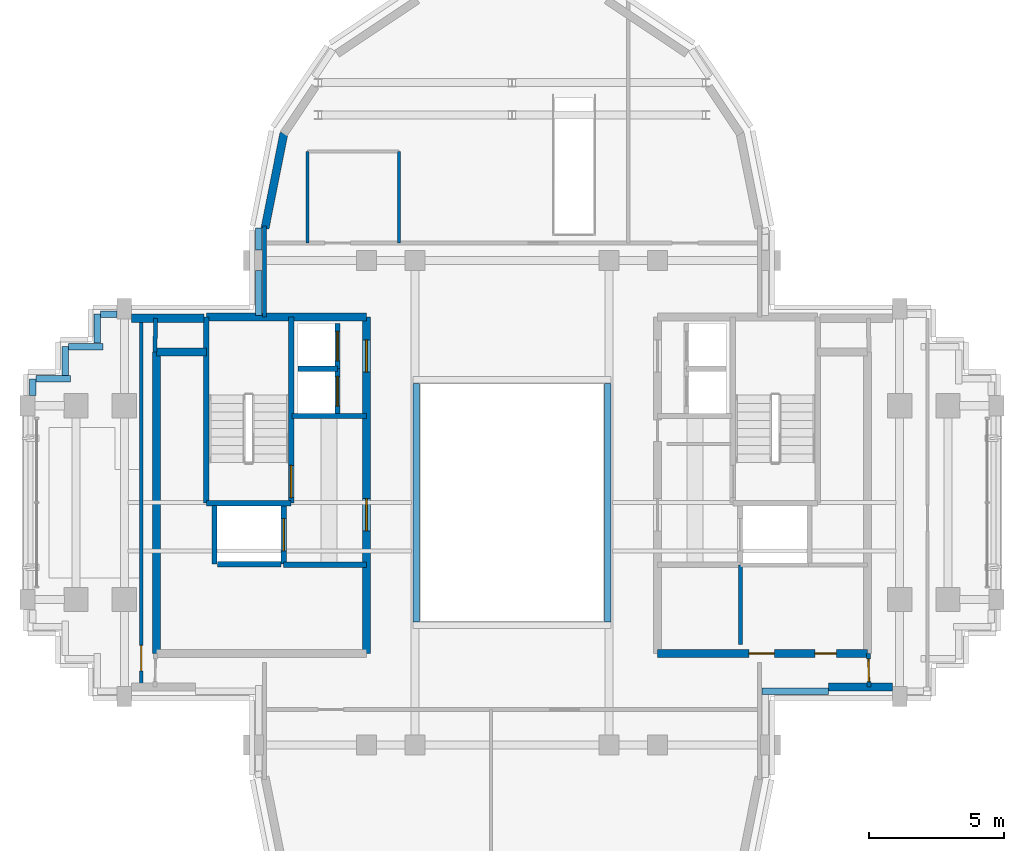
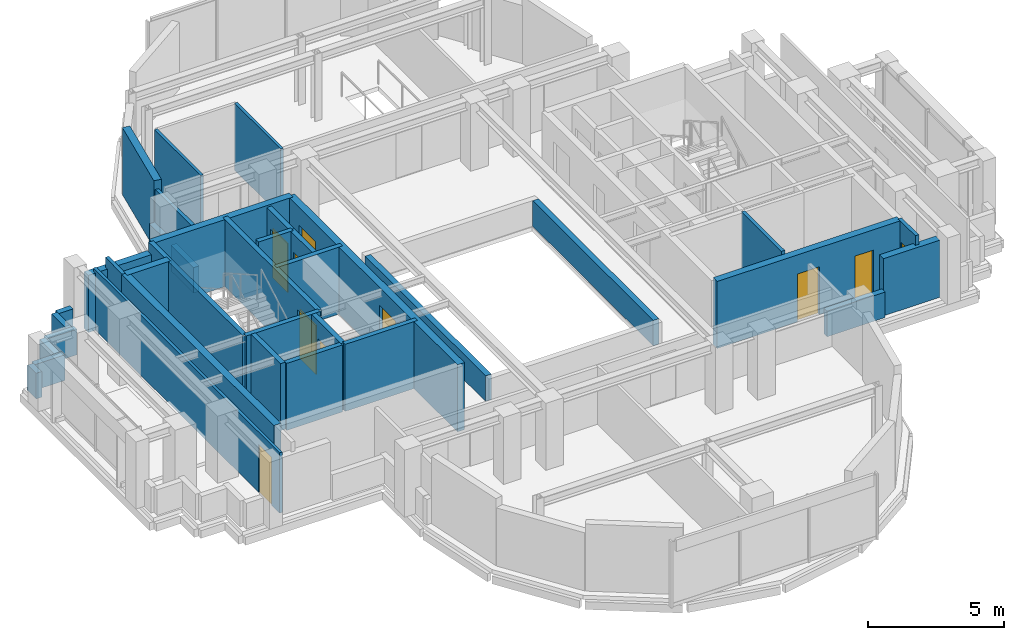
# One storey, part 8 of 12: 37 walls, 10 doors, 10 openings.
"""IFC4 building model written with IfcOpenShell, lengths in metres."""

from ifc_helpers import new_model, si_unit, direction, frame, frame_2d, origin, place, context, subcontext, project, spatial, rectangle, extrude, source, transform, mapped, material, layer, layer_set, type_object, element, fill, save


model = new_model("IFC4")

# Units and contexts
model_context = context("Model", 3, precision=1e-05, world=origin(), true_north=direction((0.0, 1.0)))
body_context = subcontext(model_context, "Body", "Model", "MODEL_VIEW")
ifc_project = project(units=[si_unit("LENGTHUNIT", "METRE"), si_unit("AREAUNIT", "SQUARE_METRE"), si_unit("VOLUMEUNIT", "CUBIC_METRE"), si_unit("PLANEANGLEUNIT", "RADIAN"), si_unit("MASSUNIT", "GRAM", prefix="KILO")], contexts=[model_context])

# Site, building, storey
site_placement = place(None, origin())
site = spatial("IfcSite", under=ifc_project, at=site_placement, CompositionType="ELEMENT")
building_placement = place(site_placement, origin())
building = spatial("IfcBuilding", under=site, at=building_placement, Name="Keilestroom Media Tower", CompositionType="ELEMENT")
storey_placement = place(building_placement, frame((0.0, 0.0, 233.199951171875)))
storey = spatial("IfcBuildingStorey", under=building, at=storey_placement, Name="L64", CompositionType="ELEMENT", Elevation=233.199951171875)

# Walls
ifc_material_1 = material(Name="Precast concrete C40/50", Category="concrete")
ifc_layer_1 = layer(ifc_material_1, 0.300048828125)
ifc_layer_set_1 = layer_set([ifc_layer_1], Name="Precast concrete C40/50")
wall_type_1 = type_object("IfcWallType", Name="Exterior-Masonry-Spandrel-Wall-300", PredefinedType="SOLIDWALL", material=ifc_layer_set_1)
wall_1_placement = place(storey_placement, frame((-14.133056640625, 6.85009765625, 0.0), z_axis=(0.0, 0.0, 1.0), x_axis=(1.0, 0.0, 0.0)))
element("IfcWall", 1, at=wall_1_placement, inside=storey, type_object=wall_type_1, Name="L64 Flank Masonry Wall EWL-L64-NW-1", PredefinedType="SOLIDWALL", context=body_context, shape_type="SweptSolid", body=[
    extrude(rectangle(XDim=2.68505859375, YDim=0.300048828125, at=frame_2d((1.342529296875, 0.0))), origin(), (0.0, 0.0, 1.0), 2.570068359375),
])
wall_2_placement = place(storey_placement, frame((11.75, -6.85009765625, 0.0), z_axis=(0.0, 0.0, 1.0), x_axis=(1.0, 0.0, 0.0)))
element("IfcWall", 2, at=wall_2_placement, inside=storey, type_object=wall_type_1, Name="L64 Flank Masonry Wall EWL-L64-SE-1", PredefinedType="SOLIDWALL", context=body_context, shape_type="SweptSolid", body=[
    extrude(rectangle(XDim=2.383056640625, YDim=0.300048828125, at=frame_2d((1.19140625, 0.0))), origin(), (0.0, 0.0, 1.0), 2.570068359375),
])
wall_3_placement = place(storey_placement, frame((-8.470703125, 13.724609375, 0.0), z_axis=(0.0, 0.0, 1.0), x_axis=(-0.195114232679, -0.980780523974, 0.0)))
element("IfcWall", 3, at=wall_3_placement, inside=storey, type_object=wall_type_1, Name="L64 Lobe Facet Precast Frame Wall 06", PredefinedType="SOLIDWALL", context=body_context, shape_type="SweptSolid", body=[
    extrude(rectangle(XDim=3.608642578125, YDim=0.300048828125, at=frame_2d((1.80419921875, 0.0))), origin(), (0.0, 0.0, 1.0), 3.010009765625),
])
ifc_material_2 = material(Name="Gypsum Plasterboard & Steel Stud", Category="steel")
ifc_layer_2 = layer(ifc_material_2, 0.1201171875)
ifc_layer_set_2 = layer_set([ifc_layer_2], Name="Gypsum Plasterboard & Steel Stud")
wall_type_2 = type_object("IfcWallType", Name="Interior-Partition-Wall-120", PredefinedType="PARTITIONING", material=ifc_layer_set_2)
for number, where, z_axis, x_axis, name in (
    (4, (-7.60009765625, 9.639892578125, 0.0), (0.0, 0.0, 1.0), (0.0, 1.0, 0.0), "L64 Interior Wall WP-L64-NL-WC-W"),
    (5, (-4.199951171875, 9.639892578125, 0.0), (0.0, 0.0, 1.0), (0.0, 1.0, 0.0), "L64 Interior Wall WP-L64-NL-WC-E"),
):
    element("IfcWall", number, at=place(storey_placement, frame(where, z_axis=z_axis, x_axis=x_axis)), inside=storey, type_object=wall_type_2, Name=name, PredefinedType="PARTITIONING", context=body_context, shape_type="SweptSolid", body=[
        extrude(rectangle(XDim=3.400146484375, YDim=0.1201171875, at=frame_2d((1.7001953125, 0.0))), origin(), (0.0, 0.0, 1.0), 3.010009765625),
    ])

# Wall, opening, door
wall_4_placement = place(storey_placement, frame((-13.77001953125, -6.85009765625, 0.0), z_axis=(0.0, 0.0, 1.0), x_axis=(0.0, 1.0, 0.0)))
wall_4 = element("IfcWall", 6, at=wall_4_placement, inside=storey, type_object=wall_type_2, Name="L64 Interior Wall WP-L64-WA-CE", PredefinedType="PARTITIONING", context=body_context, shape_type="SweptSolid", body=[
    extrude(rectangle(XDim=13.7001953125, YDim=0.1201171875, at=frame_2d((6.85009765625, 0.0))), origin(), (0.0, 0.0, 1.0), 2.7099609375),
])
opening_1_placement = place(wall_4_placement, frame((0.60009765625, 0.0, 0.0)))
opening_1 = element("IfcOpeningElement", 7, at=opening_1_placement, cuts=wall_4, Name="Opening DI-03", PredefinedType="OPENING", context=body_context, shape_type="SweptSolid", body=[
    extrude(rectangle(XDim=0.949951171875, YDim=2.14990234375, at=frame_2d((0.47509765625, 1.074951171875))), frame((0.0, 0.070068359375, 0.0), z_axis=(0.0, -1.0, 0.0), x_axis=(1.0, 0.0, 0.0)), (0.0, 0.0, 1.0), 0.14013671875),
])
ifc_material_3 = material(Name="Lacquered European Oak Leaf", Category="wood")
door_type_1 = type_object("IfcDoorType", Name="Interior-Room-And-Suite-Door-DI-03", OperationType="NOTDEFINED", PredefinedType="DOOR", material=ifc_material_3)
shared_shape_1 = source(origin(), body_context, "Body", "SweptSolid", [
    extrude(rectangle(XDim=0.949951171875, YDim=2.14990234375, at=frame_2d((0.47509765625, 1.074951171875))), frame((0.0, 0.02490234375, 0.0), z_axis=(0.0, -1.0, 0.0), x_axis=(1.0, 0.0, 0.0)), (0.0, 0.0, 1.0), 0.050048828125),
])
door_1_placement = place(opening_1_placement, origin())
door_1 = element("IfcDoor", 8, at=door_1_placement, inside=storey, type_object=door_type_1, Name="L64 Interior Door DI-L64-DWA-END", OperationType="SINGLE_SWING_LEFT", OverallHeight=2.14990234375, OverallWidth=0.949951171875, PredefinedType="DOOR", context=body_context, shape_type="MappedRepresentation", body=[
    mapped(shared_shape_1, transform((0.0, 0.0, 0.0), x_axis=(1.0, 0.0, 0.0), y_axis=(0.0, 1.0, 0.0), z_axis=(0.0, 0.0, 1.0), scale=1.0)),
])
fill(opening_1, door_1)

# Walls
ifc_layer_3 = layer(ifc_material_2, 0.14990234375)
ifc_layer_set_3 = layer_set([ifc_layer_3], Name="Gypsum Plasterboard & Steel Stud")
wall_type_3 = type_object("IfcWallType", Name="Interior-Partition-Wall-150", PredefinedType="PARTITIONING", material=ifc_layer_set_3)
wall_5_placement = place(storey_placement, frame((8.47998046875, -5.260009765625, 0.0), z_axis=(0.0, 0.0, 1.0), x_axis=(0.0, 1.0, 0.0)))
element("IfcWall", 9, at=wall_5_placement, inside=storey, type_object=wall_type_3, Name="L64 Interior Wall WP-L64-RECME-W", PredefinedType="PARTITIONING", context=body_context, shape_type="SweptSolid", body=[
    extrude(rectangle(XDim=2.93994140625, YDim=0.14990234375, at=frame_2d((1.469970703125, 0.0))), origin(), (0.0, 0.0, 1.0), 3.010009765625),
])
wall_6_placement = place(storey_placement, frame((-9.199951171875, 6.89990234375, 0.0), z_axis=(0.0, 0.0, 1.0), x_axis=(0.0, 1.0, 0.0)))
element("IfcWall", 10, at=wall_6_placement, inside=storey, type_object=wall_type_3, Name="L64 Interior Wall WP-L64-NL-CHKW", PredefinedType="PARTITIONING", context=body_context, shape_type="SweptSolid", body=[
    extrude(rectangle(XDim=3.380126953125, YDim=0.14990234375, at=frame_2d((1.68994140625, 0.0))), origin(), (0.0, 0.0, 1.0), 2.610107421875),
])
wall_7_placement = place(storey_placement, frame((-13.260009765625, 5.60009765625, 0.0), z_axis=(0.0, 0.0, 1.0), x_axis=(0.016013571389, 0.999871774545, 0.0)))
element("IfcWall", 11, at=wall_7_placement, inside=storey, type_object=wall_type_3, Name="L64 Interior Wall WP-L64-WA-ENTN", PredefinedType="PARTITIONING", context=body_context, shape_type="SweptSolid", body=[
    extrude(rectangle(XDim=1.250244140625, YDim=0.14990234375, at=frame_2d((0.625, 0.0))), origin(), (0.0, 0.0, 1.0), 3.010009765625),
])

# Wall, opening, door
wall_8_placement = place(storey_placement, frame((13.260009765625, -6.85009765625, 0.0), z_axis=(0.0, 0.0, 1.0), x_axis=(-0.016013571389, 0.999871774545, 0.0)))
wall_8 = element("IfcWall", 12, at=wall_8_placement, inside=storey, type_object=wall_type_3, Name="L64 Interior Wall WP-L64-EA-ENTS", PredefinedType="PARTITIONING", context=body_context, shape_type="SweptSolid", body=[
    extrude(rectangle(XDim=1.250244140625, YDim=0.14990234375, at=frame_2d((0.625, 0.0))), origin(), (0.0, 0.0, 1.0), 3.010009765625),
])
opening_2_placement = place(wall_8_placement, frame((0.199951171875, 0.0, 0.0)))
opening_2 = element("IfcOpeningElement", 13, at=opening_2_placement, cuts=wall_8, Name="Opening DI-05", PredefinedType="OPENING", context=body_context, shape_type="SweptSolid", body=[
    extrude(rectangle(XDim=0.85009765625, YDim=2.10009765625, at=frame_2d((0.425048828125, 1.050048828125))), frame((0.0, 0.0849609375, 0.0), z_axis=(0.0, -1.0, 0.0), x_axis=(1.0, 0.0, 0.0)), (0.0, 0.0, 1.0), 0.169921875),
])
ifc_material_4 = material(Name="Moisture-Resistant Oak Leaf", Category="wood")
door_type_2 = type_object("IfcDoorType", Name="Interior-En-Suite-And-Cupboard-Door-DI-05", OperationType="NOTDEFINED", PredefinedType="DOOR", material=ifc_material_4)
shared_shape_2 = source(origin(), body_context, "Body", "SweptSolid", [
    extrude(rectangle(XDim=0.85009765625, YDim=2.10009765625, at=frame_2d((0.425048828125, 1.050048828125))), frame((0.0, 0.02490234375, 0.0), z_axis=(0.0, -1.0, 0.0), x_axis=(1.0, 0.0, 0.0)), (0.0, 0.0, 1.0), 0.050048828125),
])
door_2_placement = place(opening_2_placement, origin())
door_2 = element("IfcDoor", 14, at=door_2_placement, inside=storey, type_object=door_type_2, Name="L64 Interior Door DI-L64-DEA-W", OperationType="SINGLE_SWING_LEFT", OverallHeight=2.10009765625, OverallWidth=0.85009765625, PredefinedType="DOOR", context=body_context, shape_type="MappedRepresentation", body=[
    mapped(shared_shape_2, transform((0.0, 0.0, 0.0), x_axis=(1.0, 0.0, 0.0), y_axis=(0.0, 1.0, 0.0), z_axis=(0.0, 0.0, 1.0), scale=1.0)),
])
fill(opening_2, door_2)

# Wall
ifc_material_5 = material(Name="Concrete C50/60", Category="concrete")
ifc_layer_4 = layer(ifc_material_5, 0.300048828125)
ifc_layer_set_4 = layer_set([ifc_layer_4], Name="Concrete C50/60")
wall_type_4 = type_object("IfcWallType", Name="Reinforced-Concrete-Core-Shear-Wall-300", PredefinedType="SHEAR", material=ifc_layer_set_4)
wall_9_placement = place(storey_placement, frame((-13.199951171875, -5.60009765625, 0.0), z_axis=(0.0, 0.0, 1.0), x_axis=(0.0, 1.0, 0.0)))
element("IfcWall", 15, at=wall_9_placement, inside=storey, type_object=wall_type_4, Name="L64 Core Shear Wall WL-L64-CORE-W-OUT", PredefinedType="SHEAR", context=body_context, shape_type="SweptSolid", body=[
    extrude(rectangle(XDim=11.2001953125, YDim=0.300048828125, at=frame_2d((5.60009765625, 0.0))), origin(), (0.0, 0.0, 1.0), 3.010009765625),
])

# Wall, openings, doors
wall_10_placement = place(storey_placement, frame((-5.39990234375, -5.60009765625, 0.0), z_axis=(0.0, 0.0, 1.0), x_axis=(0.0, 1.0, 0.0)))
wall_10 = element("IfcWall", 16, at=wall_10_placement, inside=storey, type_object=wall_type_4, Name="L64 Core Shear Wall WL-L64-CORE-W-IN", PredefinedType="SHEAR", context=body_context, shape_type="SweptSolid", body=[
    extrude(rectangle(XDim=12.5, YDim=0.300048828125, at=frame_2d((6.25, 0.0))), origin(), (0.0, 0.0, 1.0), 3.010009765625),
])
opening_3_placement = place(wall_10_placement, frame((4.550048828125, 0.0, 0.0)))
opening_3 = element("IfcOpeningElement", 17, at=opening_3_placement, cuts=wall_10, Name="Opening DI-02", PredefinedType="OPENING", context=body_context, shape_type="SweptSolid", body=[
    extrude(rectangle(XDim=1.199951171875, YDim=2.199951171875, at=frame_2d((0.60009765625, 1.10009765625))), frame((0.0, 0.16015625, 0.0), z_axis=(0.0, -1.0, 0.0), x_axis=(1.0, 0.0, 0.0)), (0.0, 0.0, 1.0), 0.320068359375),
])
opening_4_placement = place(wall_10_placement, frame((10.449951171875, 0.0, 0.0)))
opening_4 = element("IfcOpeningElement", 18, at=opening_4_placement, cuts=wall_10, Name="Opening DI-02", PredefinedType="OPENING", context=body_context, shape_type="SweptSolid", body=[
    extrude(rectangle(XDim=1.199951171875, YDim=2.199951171875, at=frame_2d((0.60009765625, 1.10009765625))), frame((0.0, 0.16015625, 0.0), z_axis=(0.0, -1.0, 0.0), x_axis=(1.0, 0.0, 0.0)), (0.0, 0.0, 1.0), 0.320068359375),
])
ifc_material_6 = material(Name="Powder-Coated Steel Fire Leaf", Category="steel")
door_type_3 = type_object("IfcDoorType", Name="Interior-Compartment-Fire-Door-DI-02", OperationType="NOTDEFINED", PredefinedType="DOOR", material=ifc_material_6)
shared_shape_3 = source(origin(), body_context, "Body", "SweptSolid", [
    extrude(rectangle(XDim=1.199951171875, YDim=2.199951171875, at=frame_2d((0.60009765625, 1.10009765625))), frame((0.0, 0.02490234375, 0.0), z_axis=(0.0, -1.0, 0.0), x_axis=(1.0, 0.0, 0.0)), (0.0, 0.0, 1.0), 0.050048828125),
])
door_3_placement = place(opening_3_placement, origin())
door_3 = element("IfcDoor", 19, at=door_3_placement, inside=storey, type_object=door_type_3, Name="L64 W Firefighting Lobby Door", OperationType="SINGLE_SWING_RIGHT", OverallHeight=2.199951171875, OverallWidth=1.199951171875, PredefinedType="DOOR", context=body_context, shape_type="MappedRepresentation", body=[
    mapped(shared_shape_3, transform((0.0, 0.0, 0.0), x_axis=(1.0, 0.0, 0.0), y_axis=(0.0, 1.0, 0.0), z_axis=(0.0, 0.0, 1.0), scale=1.0)),
])
fill(opening_3, door_3)
door_4_placement = place(opening_4_placement, origin())
door_4 = element("IfcDoor", 20, at=door_4_placement, inside=storey, type_object=door_type_3, Name="L64 W High-Rise Lift Lobby Door", OperationType="SINGLE_SWING_LEFT", OverallHeight=2.199951171875, OverallWidth=1.199951171875, PredefinedType="DOOR", context=body_context, shape_type="MappedRepresentation", body=[
    mapped(shared_shape_3, transform((0.0, 0.0, 0.0), x_axis=(1.0, 0.0, 0.0), y_axis=(0.0, 1.0, 0.0), z_axis=(0.0, 0.0, 1.0), scale=1.0)),
])
fill(opening_4, door_4)

# Walls
wall_11_placement = place(storey_placement, frame((-11.35595703125, 6.89990234375, 0.0), z_axis=(0.0, 0.0, 1.0), x_axis=(1.0, 0.0, 0.0)))
element("IfcWall", 21, at=wall_11_placement, inside=storey, type_object=wall_type_4, Name="L64 Core Shear Wall WL-L64-CORE-W-N", PredefinedType="SHEAR", context=body_context, shape_type="SweptSolid", body=[
    extrude(rectangle(XDim=5.9560546875, YDim=0.300048828125, at=frame_2d((2.97802734375, 0.0))), origin(), (0.0, 0.0, 1.0), 3.010009765625),
])
wall_12_placement = place(storey_placement, frame((-13.199951171875, 5.60009765625, 0.0), z_axis=(0.0, 0.0, 1.0), x_axis=(1.0, 0.0, 0.0)))
element("IfcWall", 22, at=wall_12_placement, inside=storey, type_object=wall_type_4, Name="L64 Core Shear Wall WL-L64-CNW-N", PredefinedType="SHEAR", context=body_context, shape_type="SweptSolid", body=[
    extrude(rectangle(XDim=1.843994140625, YDim=0.300048828125, at=frame_2d((0.921875, 0.0))), origin(), (0.0, 0.0, 1.0), 3.010009765625),
])

# Wall, openings, doors
wall_13_placement = place(storey_placement, frame((5.39990234375, -5.60009765625, 0.0), z_axis=(0.0, 0.0, 1.0), x_axis=(1.0, 0.0, 0.0)))
wall_13 = element("IfcWall", 23, at=wall_13_placement, inside=storey, type_object=wall_type_4, Name="L64 Core Shear Wall WL-L64-CORE-E-S", PredefinedType="SHEAR", context=body_context, shape_type="SweptSolid", body=[
    extrude(rectangle(XDim=7.800048828125, YDim=0.300048828125, at=frame_2d((3.89990234375, 0.0))), origin(), (0.0, 0.0, 1.0), 3.010009765625),
])
opening_5_placement = place(wall_13_placement, frame((5.85009765625, 0.0, 0.0)))
opening_5 = element("IfcOpeningElement", 24, at=opening_5_placement, cuts=wall_13, Name="Opening DI-06", PredefinedType="OPENING", context=body_context, shape_type="SweptSolid", body=[
    extrude(rectangle(XDim=0.800048828125, YDim=2.10009765625, at=frame_2d((0.39990234375, 1.050048828125))), frame((0.0, 0.16015625, 0.0), z_axis=(0.0, -1.0, 0.0), x_axis=(1.0, 0.0, 0.0)), (0.0, 0.0, 1.0), 0.320068359375),
])
opening_6_placement = place(wall_13_placement, frame((3.39990234375, 0.0, 0.0)))
opening_6 = element("IfcOpeningElement", 25, at=opening_6_placement, cuts=wall_13, Name="Opening DI-03", PredefinedType="OPENING", context=body_context, shape_type="SweptSolid", body=[
    extrude(rectangle(XDim=0.949951171875, YDim=2.14990234375, at=frame_2d((0.47509765625, 1.074951171875))), frame((0.0, 0.16015625, 0.0), z_axis=(0.0, -1.0, 0.0), x_axis=(1.0, 0.0, 0.0)), (0.0, 0.0, 1.0), 0.320068359375),
])
ifc_material_7 = material(Name="Powder-Coated Steel Service Leaf", Category="steel")
door_type_4 = type_object("IfcDoorType", Name="Interior-Riser-Access-Door-DI-06", OperationType="NOTDEFINED", PredefinedType="DOOR", material=ifc_material_7)
shared_shape_4 = source(origin(), body_context, "Body", "SweptSolid", [
    extrude(rectangle(XDim=0.800048828125, YDim=2.10009765625, at=frame_2d((0.39990234375, 1.050048828125))), frame((0.0, 0.02490234375, 0.0), z_axis=(0.0, -1.0, 0.0), x_axis=(1.0, 0.0, 0.0)), (0.0, 0.0, 1.0), 0.050048828125),
])
door_5_placement = place(opening_5_placement, origin())
door_5 = element("IfcDoor", 26, at=door_5_placement, inside=storey, type_object=door_type_4, Name="L64 Reclaimed East Core Room Door", OperationType="SINGLE_SWING_RIGHT", OverallHeight=2.10009765625, OverallWidth=0.800048828125, PredefinedType="DOOR", context=body_context, shape_type="MappedRepresentation", body=[
    mapped(shared_shape_4, transform((0.0, 0.0, 0.0), x_axis=(1.0, 0.0, 0.0), y_axis=(0.0, 1.0, 0.0), z_axis=(0.0, 0.0, 1.0), scale=1.0)),
])
fill(opening_5, door_5)
door_6_placement = place(opening_6_placement, origin())
door_6 = element("IfcDoor", 27, at=door_6_placement, inside=storey, type_object=door_type_1, Name="L64 Reclaimed Mid East Room Door", OperationType="SINGLE_SWING_RIGHT", OverallHeight=2.14990234375, OverallWidth=0.949951171875, PredefinedType="DOOR", context=body_context, shape_type="MappedRepresentation", body=[
    mapped(shared_shape_1, transform((0.0, 0.0, 0.0), x_axis=(1.0, 0.0, 0.0), y_axis=(0.0, 1.0, 0.0), z_axis=(0.0, 0.0, 1.0), scale=1.0)),
])
fill(opening_6, door_6)

# Walls
ifc_layer_5 = layer(ifc_material_5, 0.199951171875)
ifc_layer_set_5 = layer_set([ifc_layer_5], Name="Concrete C50/60")
wall_type_5 = type_object("IfcWallType", Name="Reinforced-Concrete-Shaft-Wall-200", PredefinedType="SOLIDWALL", material=ifc_layer_set_5)
wall_14_placement = place(storey_placement, frame((-8.179931640625, 3.219970703125, 0.0), z_axis=(0.0, 0.0, 1.0), x_axis=(1.0, 0.0, 0.0)))
element("IfcWall", 28, at=wall_14_placement, inside=storey, type_object=wall_type_5, Name="L64 Core Shear Wall WL-L64-CORE-W-FFN", PredefinedType="SOLIDWALL", context=body_context, shape_type="SweptSolid", body=[
    extrude(rectangle(XDim=2.780029296875, YDim=0.199951171875, at=frame_2d((1.39013671875, 0.0))), origin(), (0.0, 0.0, 1.0), 3.010009765625),
])
wall_15_placement = place(storey_placement, frame((-8.47998046875, -2.300048828125, 0.0), z_axis=(0.0, 0.0, 1.0), x_axis=(1.0, 0.0, 0.0)))
element("IfcWall", 29, at=wall_15_placement, inside=storey, type_object=wall_type_5, Name="L64 Core Shear Wall WL-L64-CORE-W-FFS", PredefinedType="SOLIDWALL", context=body_context, shape_type="SweptSolid", body=[
    extrude(rectangle(XDim=3.080078125, YDim=0.199951171875, at=frame_2d((1.5400390625, 0.0))), origin(), (0.0, 0.0, 1.0), 3.010009765625),
])

# Wall, opening, door
wall_16_placement = place(storey_placement, frame((-8.2041015625, -0.01611328125, 0.0), z_axis=(0.0, 0.0, 1.0), x_axis=(0.0, 1.0, 0.0)))
wall_16 = element("IfcWall", 30, at=wall_16_placement, inside=storey, type_object=wall_type_5, Name="L64 Core Shear Wall WL-L64-STW-W-NEAR", PredefinedType="SOLIDWALL", context=body_context, shape_type="SweptSolid", body=[
    extrude(rectangle(XDim=6.916015625, YDim=0.199951171875, at=frame_2d((3.4580078125, 0.0))), origin(), (0.0, 0.0, 1.0), 3.010009765625),
])
opening_7_placement = place(wall_16_placement, frame((0.199951171875, 0.0, 0.0)))
opening_7 = element("IfcOpeningElement", 31, at=opening_7_placement, cuts=wall_16, Name="Opening DI-01S", PredefinedType="OPENING", context=body_context, shape_type="SweptSolid", body=[
    extrude(rectangle(XDim=1.199951171875, YDim=2.199951171875, at=frame_2d((0.60009765625, 1.10009765625))), frame((0.0, 0.10986328125, 0.0), z_axis=(0.0, -1.0, 0.0), x_axis=(1.0, 0.0, 0.0)), (0.0, 0.0, 1.0), 0.219970703125),
])
door_type_5 = type_object("IfcDoorType", Name="Interior-Stair-And-Core-Fire-Door-DI-01", OperationType="NOTDEFINED", PredefinedType="DOOR", material=ifc_material_6)
door_7_placement = place(opening_7_placement, origin())
door_7 = element("IfcDoor", 32, at=door_7_placement, inside=storey, type_object=door_type_5, Name="L64 Escape Stair ST-1 Fire Door", OperationType="SINGLE_SWING_LEFT", OverallHeight=2.199951171875, OverallWidth=1.199951171875, PredefinedType="DOOR", context=body_context, shape_type="MappedRepresentation", body=[
    mapped(shared_shape_3, transform((0.0, 0.0, 0.0), x_axis=(1.0, 0.0, 0.0), y_axis=(0.0, 1.0, 0.0), z_axis=(0.0, 0.0, 1.0), scale=1.0)),
])
fill(opening_7, door_7)

# Walls
wall_17_placement = place(storey_placement, frame((-11.35595703125, -0.01611328125, 0.0), z_axis=(0.0, 0.0, 1.0), x_axis=(0.0, 1.0, 0.0)))
element("IfcWall", 33, at=wall_17_placement, inside=storey, type_object=wall_type_5, Name="L64 Core Shear Wall WL-L64-STW-W-FAR", PredefinedType="SOLIDWALL", context=body_context, shape_type="SweptSolid", body=[
    extrude(rectangle(XDim=6.916015625, YDim=0.199951171875, at=frame_2d((3.4580078125, 0.0))), origin(), (0.0, 0.0, 1.0), 3.010009765625),
])
wall_18_placement = place(storey_placement, frame((-11.35595703125, -0.01611328125, 0.0), z_axis=(0.0, 0.0, 1.0), x_axis=(1.0, 0.0, 0.0)))
element("IfcWall", 34, at=wall_18_placement, inside=storey, type_object=wall_type_5, Name="L64 Core Shear Wall WL-L64-STW-W-S", PredefinedType="SOLIDWALL", context=body_context, shape_type="SweptSolid", body=[
    extrude(rectangle(XDim=3.15185546875, YDim=0.199951171875, at=frame_2d((1.575927734375, 0.0))), origin(), (0.0, 0.0, 1.0), 3.010009765625),
])
wall_19_placement = place(storey_placement, frame((-11.050048828125, -2.280029296875, 0.0), z_axis=(0.0, 0.0, 1.0), x_axis=(0.0, 1.0, 0.0)))
element("IfcWall", 35, at=wall_19_placement, inside=storey, type_object=wall_type_5, Name="L64 Core Shear Wall WL-L64-LSH-FFL-1-W", PredefinedType="SOLIDWALL", context=body_context, shape_type="SweptSolid", body=[
    extrude(rectangle(XDim=2.179931640625, YDim=0.199951171875, at=frame_2d((1.08984375, 0.0))), origin(), (0.0, 0.0, 1.0), 3.010009765625),
])

# Wall, opening, door
wall_20_placement = place(storey_placement, frame((-8.47998046875, -2.280029296875, 0.0), z_axis=(0.0, 0.0, 1.0), x_axis=(0.0, 1.0, 0.0)))
wall_20 = element("IfcWall", 36, at=wall_20_placement, inside=storey, type_object=wall_type_5, Name="L64 Core Shear Wall WL-L64-LSH-FFL-1-E", PredefinedType="SOLIDWALL", context=body_context, shape_type="SweptSolid", body=[
    extrude(rectangle(XDim=2.179931640625, YDim=0.199951171875, at=frame_2d((1.08984375, 0.0))), origin(), (0.0, 0.0, 1.0), 3.010009765625),
])
opening_8_placement = place(wall_20_placement, frame((0.489990234375, 0.0, 0.0)))
opening_8 = element("IfcOpeningElement", 37, at=opening_8_placement, cuts=wall_20, Name="Opening LD-02", PredefinedType="OPENING", context=body_context, shape_type="SweptSolid", body=[
    extrude(rectangle(XDim=1.199951171875, YDim=2.199951171875, at=frame_2d((0.60009765625, 1.10009765625))), frame((0.0, 0.10986328125, 0.0), z_axis=(0.0, -1.0, 0.0), x_axis=(1.0, 0.0, 0.0)), (0.0, 0.0, 1.0), 0.219970703125),
])
ifc_material_8 = material(Name="Brushed Stainless Steel Sliding Leaf", Category="steel")
door_type_6 = type_object("IfcDoorType", Name="Lift-Landing-Sliding-Door-LD-02", OperationType="SLIDING_TO_RIGHT", PredefinedType="DOOR", material=ifc_material_8)
door_8_placement = place(opening_8_placement, origin())
door_8 = element("IfcDoor", 38, at=door_8_placement, inside=storey, type_object=door_type_6, Name="L64 Lift FFL-1 Landing Sliding Door", OperationType="SLIDING_TO_RIGHT", OverallHeight=2.199951171875, OverallWidth=1.199951171875, PredefinedType="DOOR", context=body_context, shape_type="MappedRepresentation", body=[
    mapped(shared_shape_3, transform((0.0, 0.0, 0.0), x_axis=(1.0, 0.0, 0.0), y_axis=(0.0, 1.0, 0.0), z_axis=(0.0, 0.0, 1.0), scale=1.0)),
])
fill(opening_8, door_8)

# Wall
wall_21_placement = place(storey_placement, frame((-10.946044921875, -2.280029296875, 0.0), z_axis=(0.0, 0.0, 1.0), x_axis=(1.0, 0.0, 0.0)))
element("IfcWall", 39, at=wall_21_placement, inside=storey, type_object=wall_type_5, Name="L64 Core Shear Wall WL-L64-LSH-FFL-1-S", PredefinedType="SOLIDWALL", context=body_context, shape_type="SweptSolid", body=[
    extrude(rectangle(XDim=2.362060546875, YDim=0.199951171875, at=frame_2d((1.18115234375, 0.0))), origin(), (0.0, 0.0, 1.0), 3.010009765625),
])

# Wall, opening, door
wall_22_placement = place(storey_placement, frame((-6.47998046875, 3.300048828125, 0.0), z_axis=(0.0, 0.0, 1.0), x_axis=(0.0, 1.0, 0.0)))
wall_22 = element("IfcWall", 40, at=wall_22_placement, inside=storey, type_object=wall_type_5, Name="L64 Core Shear Wall WL-L64-LSH-PL-H1-E", PredefinedType="SOLIDWALL", context=body_context, shape_type="SweptSolid", body=[
    extrude(rectangle(XDim=1.679931640625, YDim=0.199951171875, at=frame_2d((0.83984375, 0.0))), origin(), (0.0, 0.0, 1.0), 3.010009765625),
])
opening_9_placement = place(wall_22_placement, frame((0.2900390625, 0.0, 0.0)))
opening_9 = element("IfcOpeningElement", 41, at=opening_9_placement, cuts=wall_22, Name="Opening LD-01", PredefinedType="OPENING", context=body_context, shape_type="SweptSolid", body=[
    extrude(rectangle(XDim=1.10009765625, YDim=2.199951171875, at=frame_2d((0.550048828125, 1.10009765625))), frame((0.0, 0.10986328125, 0.0), z_axis=(0.0, -1.0, 0.0), x_axis=(1.0, 0.0, 0.0)), (0.0, 0.0, 1.0), 0.219970703125),
])
door_type_7 = type_object("IfcDoorType", Name="Lift-Landing-Sliding-Door-LD-01", OperationType="SLIDING_TO_LEFT", PredefinedType="DOOR", material=ifc_material_8)
shared_shape_5 = source(origin(), body_context, "Body", "SweptSolid", [
    extrude(rectangle(XDim=1.10009765625, YDim=2.199951171875, at=frame_2d((0.550048828125, 1.10009765625))), frame((0.0, 0.02490234375, 0.0), z_axis=(0.0, -1.0, 0.0), x_axis=(1.0, 0.0, 0.0)), (0.0, 0.0, 1.0), 0.050048828125),
])
door_9_placement = place(opening_9_placement, origin())
door_9 = element("IfcDoor", 42, at=door_9_placement, inside=storey, type_object=door_type_7, Name="L64 Lift PL-H1 Landing Sliding Door", OperationType="SLIDING_TO_LEFT", OverallHeight=2.199951171875, OverallWidth=1.10009765625, PredefinedType="DOOR", context=body_context, shape_type="MappedRepresentation", body=[
    mapped(shared_shape_5, transform((0.0, 0.0, 0.0), x_axis=(1.0, 0.0, 0.0), y_axis=(0.0, 1.0, 0.0), z_axis=(0.0, 0.0, 1.0), scale=1.0)),
])
fill(opening_9, door_9)

# Wall
wall_23_placement = place(storey_placement, frame((-7.949951171875, 4.97998046875, 0.0), z_axis=(0.0, 0.0, 1.0), x_axis=(1.0, 0.0, 0.0)))
element("IfcWall", 43, at=wall_23_placement, inside=storey, type_object=wall_type_5, Name="L64 Core Shear Wall WL-L64-LSH-PL-H1-N", PredefinedType="SOLIDWALL", context=body_context, shape_type="SweptSolid", body=[
    extrude(rectangle(XDim=1.469970703125, YDim=0.199951171875, at=frame_2d((0.73486328125, 0.0))), origin(), (0.0, 0.0, 1.0), 3.010009765625),
])

# Wall, opening, door
wall_24_placement = place(storey_placement, frame((-6.47998046875, 4.97998046875, 0.0), z_axis=(0.0, 0.0, 1.0), x_axis=(0.0, 1.0, 0.0)))
wall_24 = element("IfcWall", 44, at=wall_24_placement, inside=storey, type_object=wall_type_5, Name="L64 Core Shear Wall WL-L64-LSH-PL-H2-E", PredefinedType="SOLIDWALL", context=body_context, shape_type="SweptSolid", body=[
    extrude(rectangle(XDim=1.669921875, YDim=0.199951171875, at=frame_2d((0.8349609375, 0.0))), origin(), (0.0, 0.0, 1.0), 3.010009765625),
])
opening_10_placement = place(wall_24_placement, frame((0.284912109375, 0.0, 0.0)))
opening_10 = element("IfcOpeningElement", 45, at=opening_10_placement, cuts=wall_24, Name="Opening LD-01", PredefinedType="OPENING", context=body_context, shape_type="SweptSolid", body=[
    extrude(rectangle(XDim=1.10009765625, YDim=2.199951171875, at=frame_2d((0.550048828125, 1.10009765625))), frame((0.0, 0.10986328125, 0.0), z_axis=(0.0, -1.0, 0.0), x_axis=(1.0, 0.0, 0.0)), (0.0, 0.0, 1.0), 0.219970703125),
])
door_10_placement = place(opening_10_placement, origin())
door_10 = element("IfcDoor", 46, at=door_10_placement, inside=storey, type_object=door_type_7, Name="L64 Lift PL-H2 Landing Sliding Door", OperationType="SLIDING_TO_LEFT", OverallHeight=2.199951171875, OverallWidth=1.10009765625, PredefinedType="DOOR", context=body_context, shape_type="MappedRepresentation", body=[
    mapped(shared_shape_5, transform((0.0, 0.0, 0.0), x_axis=(1.0, 0.0, 0.0), y_axis=(0.0, 1.0, 0.0), z_axis=(0.0, 0.0, 1.0), scale=1.0)),
])
fill(opening_10, door_10)

# Walls
ifc_layer_6 = layer(ifc_material_1, 0.239990234375)
ifc_layer_set_6 = layer_set([ifc_layer_6], Name="Precast concrete C40/50")
wall_type_6 = type_object("IfcWallType", Name="Roof-And-Terrace-Parapet-Wall-240", PredefinedType="PARAPET", material=ifc_layer_set_6)
wall_25_placement = place(storey_placement, frame((11.7470703125, -7.0, 0.0), z_axis=(0.0, 0.0, 1.0), x_axis=(-1.0, 0.0, 0.0)))
element("IfcWall", 47, at=wall_25_placement, inside=storey, type_object=wall_type_6, Name="L64 Perimeter Edge Parapet Wall 07", PredefinedType="PARAPET", context=body_context, shape_type="SweptSolid", body=[
    extrude(rectangle(XDim=2.468994140625, YDim=0.239990234375, at=frame_2d((1.234375, 0.0))), origin(), (0.0, 0.0, 1.0), 1.150146484375),
])
wall_26_placement = place(storey_placement, frame((-17.800048828125, 3.97802734375, 0.0), z_axis=(0.0, 0.0, 1.0), x_axis=(0.0, 1.0, 0.0)))
element("IfcWall", 48, at=wall_26_placement, inside=storey, type_object=wall_type_6, Name="L64 Perimeter Edge Parapet Wall 20", PredefinedType="PARAPET", context=body_context, shape_type="SweptSolid", body=[
    extrude(rectangle(XDim=0.6220703125, YDim=0.239990234375, at=frame_2d((0.31103515625, 0.0))), origin(), (0.0, 0.0, 1.0), 1.150146484375),
])
wall_27_placement = place(storey_placement, frame((-17.677001953125, 4.60009765625, 0.0), z_axis=(0.0, 0.0, 1.0), x_axis=(1.0, 0.0, 0.0)))
element("IfcWall", 49, at=wall_27_placement, inside=storey, type_object=wall_type_6, Name="L64 Perimeter Edge Parapet Wall 21", PredefinedType="PARAPET", context=body_context, shape_type="SweptSolid", body=[
    extrude(rectangle(XDim=1.277099609375, YDim=0.239990234375, at=frame_2d((0.638671875, 0.0))), origin(), (0.0, 0.0, 1.0), 1.150146484375),
])
wall_28_placement = place(storey_placement, frame((-16.60009765625, 4.722900390625, 0.0), z_axis=(0.0, 0.0, 1.0), x_axis=(0.0, 1.0, 0.0)))
element("IfcWall", 50, at=wall_28_placement, inside=storey, type_object=wall_type_6, Name="L64 Perimeter Edge Parapet Wall 22", PredefinedType="PARAPET", context=body_context, shape_type="SweptSolid", body=[
    extrude(rectangle(XDim=1.0771484375, YDim=0.239990234375, at=frame_2d((0.53857421875, 0.0))), origin(), (0.0, 0.0, 1.0), 1.150146484375),
])
wall_29_placement = place(storey_placement, frame((-16.47705078125, 5.800048828125, 0.0), z_axis=(0.0, 0.0, 1.0), x_axis=(1.0, 0.0, 0.0)))
element("IfcWall", 51, at=wall_29_placement, inside=storey, type_object=wall_type_6, Name="L64 Perimeter Edge Parapet Wall 23", PredefinedType="PARAPET", context=body_context, shape_type="SweptSolid", body=[
    extrude(rectangle(XDim=1.277099609375, YDim=0.239990234375, at=frame_2d((0.638671875, 0.0))), origin(), (0.0, 0.0, 1.0), 1.150146484375),
])
wall_30_placement = place(storey_placement, frame((-15.39990234375, 5.923095703125, 0.0), z_axis=(0.0, 0.0, 1.0), x_axis=(0.0, 1.0, 0.0)))
element("IfcWall", 52, at=wall_30_placement, inside=storey, type_object=wall_type_6, Name="L64 Perimeter Edge Parapet Wall 24", PredefinedType="PARAPET", context=body_context, shape_type="SweptSolid", body=[
    extrude(rectangle(XDim=1.076904296875, YDim=0.239990234375, at=frame_2d((0.53857421875, 0.0))), origin(), (0.0, 0.0, 1.0), 1.150146484375),
])
wall_31_placement = place(storey_placement, frame((-15.277099609375, 7.0, 0.0), z_axis=(0.0, 0.0, 1.0), x_axis=(1.0, 0.0, 0.0)))
element("IfcWall", 53, at=wall_31_placement, inside=storey, type_object=wall_type_6, Name="L64 Perimeter Edge Parapet Wall 25", PredefinedType="PARAPET", context=body_context, shape_type="SweptSolid", body=[
    extrude(rectangle(XDim=0.59912109375, YDim=0.239990234375, at=frame_2d((0.299560546875, 0.0))), origin(), (0.0, 0.0, 1.0), 1.150146484375),
])
wall_32_placement = place(storey_placement, frame((-9.39990234375, 6.952880859375, 0.0), z_axis=(0.0, 0.0, 1.0), x_axis=(0.0, 1.0, 0.0)))
element("IfcWall", 54, at=wall_32_placement, inside=storey, type_object=wall_type_6, Name="L64 Perimeter Edge Parapet Wall 26", PredefinedType="PARAPET", context=body_context, shape_type="SweptSolid", body=[
    extrude(rectangle(XDim=1.669189453125, YDim=0.239990234375, at=frame_2d((0.83447265625, 0.0))), origin(), (0.0, 0.0, 1.0), 1.150146484375),
])
wall_33_placement = place(storey_placement, frame((-9.39990234375, 9.3779296875, 0.0), z_axis=(0.0, 0.0, 1.0), x_axis=(0.0, 1.0, 0.0)))
element("IfcWall", 55, at=wall_33_placement, inside=storey, type_object=wall_type_6, Name="L64 Perimeter Edge Parapet Wall 27", PredefinedType="PARAPET", context=body_context, shape_type="SweptSolid", body=[
    extrude(rectangle(XDim=0.824951171875, YDim=0.239990234375, at=frame_2d((0.41259765625, 0.0))), origin(), (0.0, 0.0, 1.0), 1.150146484375),
])
for number, where, z_axis, x_axis, name in (
    (56, (-3.56005859375, -4.43505859375, 0.0), (0.0, 0.0, 1.0), (0.0, 1.0, 0.0), "L64 Central Atrium Guard Parapet W"),
    (57, (3.56005859375, -4.43505859375, 0.0), (0.0, 0.0, 1.0), (0.0, 1.0, 0.0), "L64 Central Atrium Guard Parapet E"),
):
    element("IfcWall", number, at=place(storey_placement, frame(where, z_axis=z_axis, x_axis=x_axis)), inside=storey, type_object=wall_type_6, Name=name, PredefinedType="PARAPET", context=body_context, shape_type="SweptSolid", body=[
        extrude(rectangle(XDim=8.8701171875, YDim=0.239990234375, at=frame_2d((4.43505859375, 0.0))), origin(), (0.0, 0.0, 1.0), 1.150146484375),
    ])

save(model, "model.ifc")
